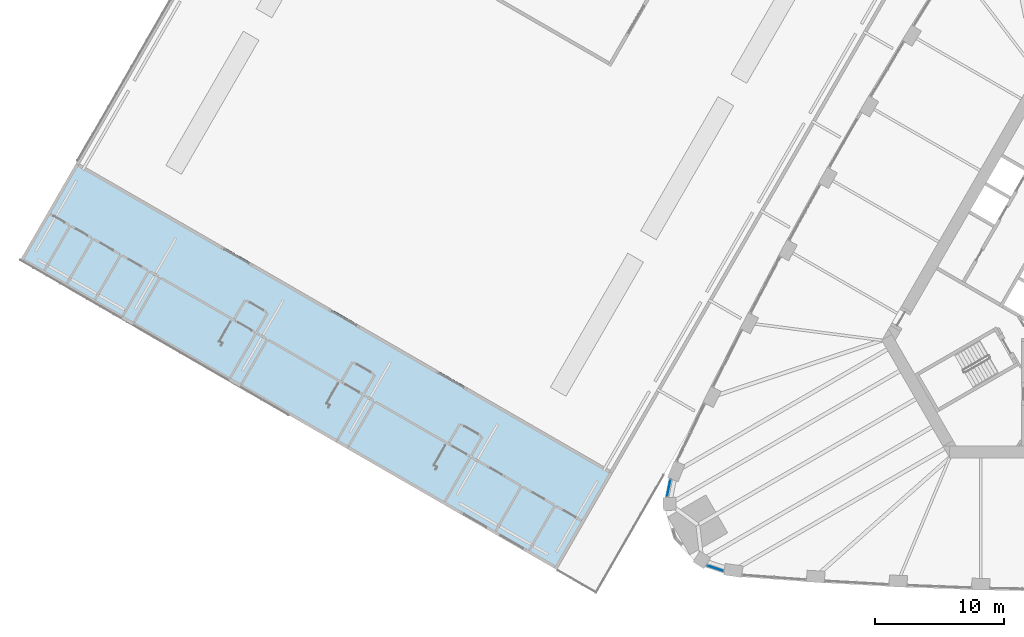
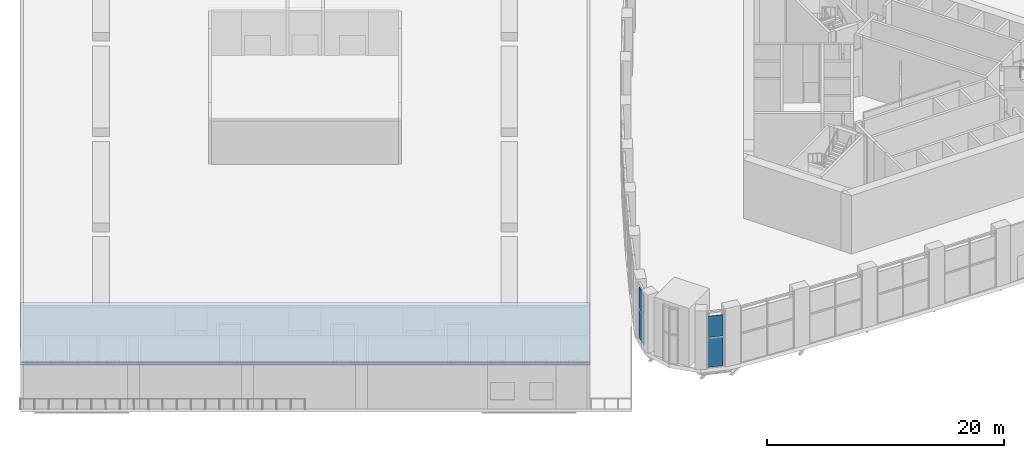
# One storey, part 16 of 41: 4 plates, 1 slab, 1 element without a shape of its own.
"""IFC4 building model written with IfcOpenShell, lengths in metres."""

import ifcopenshell
import ifcopenshell.guid

model = None  # the IFC model being written
_history = None  # IfcOwnerHistory: only IFC2X3 demands one
_inside = {}  # id of a spatial element -> (the spatial element, [elements in it])
_under = {}  # id of a project, library or spatial element -> (it, [spatial elements below it])
_declared = {}  # id of a project -> (the project, [libraries it declares])
_typed = {}  # id of a type object -> (the type object, [elements of that type])
_made_of = {}  # id of a material, layer set ... -> (it, [elements and type objects made of it])


def new_model(schema):
    """Start an empty IFC model of exactly this schema.

    Asked for "IFC4X3", IfcOpenShell would pick the latest addendum, in which some entities
    have other attributes; the version numbers below select the first issue.
    IFC2X3 requires an IfcOwnerHistory on every rooted entity: one is made here for all.
    """
    global model, _history
    if schema == "IFC4X3":
        model = ifcopenshell.file(schema_version=(4, 3, 0, 0))
    else:
        model = ifcopenshell.file(schema=schema)
    _inside.clear()
    _under.clear()
    _declared.clear()
    _typed.clear()
    _made_of.clear()
    _history = None
    if model.schema == "IFC2X3":
        org = make("IfcOrganization", Name="unknown")
        user = make(
            "IfcPersonAndOrganization",
            ThePerson=make("IfcPerson", FamilyName="unknown"),
            TheOrganization=org,
        )
        app = make(
            "IfcApplication",
            ApplicationDeveloper=org,
            Version="unknown",
            ApplicationFullName="unknown",
            ApplicationIdentifier="unknown",
        )
        _history = make(
            "IfcOwnerHistory",
            OwningUser=user,
            OwningApplication=app,
            ChangeAction="ADDED",
            CreationDate=0,
        )
    return model


def make(cls, **values):
    """One entity of the class cls with the attributes given. An attribute that is None is left unset."""
    return model.create_entity(
        cls, **{name: value for name, value in values.items() if value is not None}
    )


def rooted(cls, **values):
    """An entity with a GlobalId (a new one), such as an element, a storey or a relation."""
    return make(cls, GlobalId=ifcopenshell.guid.new(), OwnerHistory=_history, **values)


def si_unit(unit_type, name, prefix=None):
    """IfcSIUnit, for example si_unit("LENGTHUNIT", "METRE", prefix="MILLI")."""
    return make("IfcSIUnit", UnitType=unit_type, Prefix=prefix, Name=name)


def assignment(units):
    """IfcUnitAssignment: the units of a project."""
    return None if units is None else make("IfcUnitAssignment", Units=units)


def point(xyz):
    """IfcCartesianPoint."""
    return None if xyz is None else make("IfcCartesianPoint", Coordinates=xyz)


def direction(xyz):
    """IfcDirection."""
    return None if xyz is None else make("IfcDirection", DirectionRatios=xyz)


def frame(location, z_axis=None, x_axis=None):
    """IfcAxis2Placement3D, a coordinate frame: its origin and axes. An axis left out is left unset."""
    return make(
        "IfcAxis2Placement3D",
        Location=point(location),
        Axis=direction(z_axis),
        RefDirection=direction(x_axis),
    )


def frame_2d(location, x_axis=None):
    """IfcAxis2Placement2D, a coordinate frame in the plane: its origin and x axis."""
    return make(
        "IfcAxis2Placement2D", Location=point(location), RefDirection=direction(x_axis)
    )


def origin():
    """The frame at (0, 0, 0) with its axes left unset."""
    return frame((0.0, 0.0, 0.0))


def origin_2d():
    """The frame at (0, 0) in the plane with its x axis left unset."""
    return frame_2d((0.0, 0.0))


def place(relative_to, where):
    """IfcLocalPlacement: puts the frame where relative to a parent placement (None: the world)."""
    return make(
        "IfcLocalPlacement", PlacementRelTo=relative_to, RelativePlacement=where
    )


def context(
    kind, dimensions, precision=None, world=None, true_north=None, identifier=None
):
    """IfcGeometricRepresentationContext, for example the 3D "Model" context."""
    return make(
        "IfcGeometricRepresentationContext",
        ContextIdentifier=identifier,
        ContextType=kind,
        CoordinateSpaceDimension=dimensions,
        Precision=precision,
        WorldCoordinateSystem=world,
        TrueNorth=true_north,
    )


def subcontext(parent, identifier, kind, view, scale=None):
    """IfcGeometricRepresentationSubContext, for example "Body" below "Model"."""
    return make(
        "IfcGeometricRepresentationSubContext",
        ContextIdentifier=identifier,
        ContextType=kind,
        ParentContext=parent,
        TargetScale=scale,
        TargetView=view,
    )


def project(units=None, contexts=None):
    """IfcProject with its units and contexts."""
    return rooted(
        "IfcProject",
        Name="project",
        RepresentationContexts=contexts,
        UnitsInContext=assignment(units),
    )


def spatial(cls, under=None, at=None, **own):
    """A site, building, storey or space (cls), placed at a placement, below another one or the project."""
    s = rooted(cls, ObjectPlacement=at, **own)
    if under is not None:
        _under.setdefault(under.id(), (under, []))[1].append(s)
    return s


def polyline(points):
    """IfcPolyline through the points."""
    return make("IfcPolyline", Points=[point(p) for p in points])


def profile(cls, at=None, kind="AREA", **sizes):
    """A parametric profile (cls). Its sizes go by their IFC names, for example OverallWidth=200.0."""
    return make(cls, ProfileType=kind, Position=at, **sizes)


def rectangle(**sizes):
    """IfcRectangleProfileDef."""
    return profile("IfcRectangleProfileDef", **sizes)


def outline(outer, holes=None, kind="AREA"):
    """IfcArbitraryClosedProfileDef: a profile drawn as a closed curve; with holes, ...WithVoids."""
    if holes is None:
        return make("IfcArbitraryClosedProfileDef", ProfileType=kind, OuterCurve=outer)
    return make(
        "IfcArbitraryProfileDefWithVoids",
        ProfileType=kind,
        OuterCurve=outer,
        InnerCurves=holes,
    )


def extrude(swept, where, along, depth):
    """IfcExtrudedAreaSolid: the profile swept, set in the frame where, extruded along a direction by depth."""
    return make(
        "IfcExtrudedAreaSolid",
        SweptArea=swept,
        Position=where,
        ExtrudedDirection=direction(along),
        Depth=depth,
    )


def shape(context_of_items, identifier, shape_type, items):
    """IfcShapeRepresentation: the items that make up one representation, for example the "Body"."""
    return make(
        "IfcShapeRepresentation",
        ContextOfItems=context_of_items,
        RepresentationIdentifier=identifier,
        RepresentationType=shape_type,
        Items=items,
    )


def material(Name=None, Category=None):
    """IfcMaterial."""
    return make("IfcMaterial", Name=Name, Category=Category)


def layer(
    of_material, thickness, ventilated=None, Name=None, Category=None, Priority=None
):
    """IfcMaterialLayer: one layer of a wall or slab, of a material (None: an air gap)."""
    return make(
        "IfcMaterialLayer",
        Material=of_material,
        LayerThickness=thickness,
        IsVentilated=ventilated,
        Name=Name,
        Category=Category,
        Priority=Priority,
    )


def layer_set(layers, Name=None):
    """IfcMaterialLayerSet."""
    return make("IfcMaterialLayerSet", MaterialLayers=layers, LayerSetName=Name)


def made_of(thing, what):
    """Note that an element or type object is made of a material, layer set ...; save() writes the relation."""
    if what is not None:
        _made_of.setdefault(what.id(), (what, []))[1].append(thing)
    return thing


def type_object(cls, material=None, **own):
    """A type object (cls), such as IfcWallType, which elements share."""
    return made_of(rooted(cls, **own), material)


def element(
    cls,
    number,
    at=None,
    inside=None,
    cuts=None,
    type_object=None,
    material=None,
    context=None,
    identifier="Body",
    shape_type=None,
    held_by="IfcProductDefinitionShape",
    body=None,
    shapes=None,
    **own,
):
    """One element of the class cls, such as IfcWall. Its Tag is "e" and its number.

    at: its placement. inside: the storey or other place that contains it. cuts: it is an
    opening in that element (IfcRelVoidsElement). A single representation is given by context,
    identifier, shape_type and body (its items); several are given by shapes. held_by: the class
    of the entity that holds the representations. save() writes the other relations.
    """
    e = rooted(cls, Tag="e%d" % number, ObjectPlacement=at, **own)
    if body is not None:
        shapes = [shape(context, identifier, shape_type, body)]
    if shapes is not None:
        e.Representation = make(held_by, Representations=shapes)
    if inside is not None:
        _inside.setdefault(inside.id(), (inside, []))[1].append(e)
    if cuts is not None:
        rooted(
            "IfcRelVoidsElement", RelatingBuildingElement=cuts, RelatedOpeningElement=e
        )
    if type_object is not None:
        _typed.setdefault(type_object.id(), (type_object, []))[1].append(e)
    return made_of(e, material)


def aggregate(whole, parts):
    """IfcRelAggregates: a whole, such as a stair, and the parts it consists of."""
    return rooted("IfcRelAggregates", RelatingObject=whole, RelatedObjects=parts)


def save(model, path):
    """Write the relations noted so far, then the file.

    IfcRelAggregates (storeys below a building ...), IfcRelContainedInSpatialStructure (elements
    in a storey), IfcRelDefinesByType, IfcRelAssociatesMaterial and IfcRelDeclares: one each for
    every whole, place, type object, material and project.
    """
    for whole, parts in _under.values():
        aggregate(whole, parts)
    for where, things in _inside.values():
        rooted(
            "IfcRelContainedInSpatialStructure",
            RelatedElements=things,
            RelatingStructure=where,
        )
    for kind, things in _typed.values():
        rooted("IfcRelDefinesByType", RelatedObjects=things, RelatingType=kind)
    for what, things in _made_of.values():
        rooted("IfcRelAssociatesMaterial", RelatedObjects=things, RelatingMaterial=what)
    for by, libraries in _declared.values():
        rooted("IfcRelDeclares", RelatingContext=by, RelatedDefinitions=libraries)
    model.write(path)


model = new_model("IFC4")

# Units and contexts
model_context = context("Model", 3, precision=1e-05, world=origin(), true_north=direction((0.0, 1.0)))
body_context = subcontext(model_context, "Body", "Model", "MODEL_VIEW")
ifc_project = project(units=[si_unit("LENGTHUNIT", "METRE"), si_unit("AREAUNIT", "SQUARE_METRE"), si_unit("VOLUMEUNIT", "CUBIC_METRE"), si_unit("PLANEANGLEUNIT", "RADIAN"), si_unit("MASSUNIT", "GRAM", prefix="KILO")], contexts=[model_context])

# Site, building, storey
site_placement = place(None, origin())
site = spatial("IfcSite", under=ifc_project, at=site_placement, CompositionType="ELEMENT")
building_placement = place(site_placement, origin())
building = spatial("IfcBuilding", under=site, at=building_placement, Name="Mestral Congress Tower", CompositionType="ELEMENT")
storey_placement = place(building_placement, frame((0.0, 0.0, 21.60009765625)))
storey = spatial("IfcBuildingStorey", under=building, at=storey_placement, Name="L04", CompositionType="ELEMENT", Elevation=21.60009765625)

# Curtain wall, plates
ifc_material_1 = material(Name="Clear low-emissivity double glazing", Category="glass")
curtain_wall_type = type_object("IfcCurtainWallType", Name="Facade arrival lobby curtain wall", PredefinedType="USERDEFINED", material=ifc_material_1)
curtain_wall_placement = place(storey_placement, origin())
curtain_wall = element("IfcCurtainWall", 1, at=curtain_wall_placement, inside=storey, type_object=curtain_wall_type, Name="Facade arrival lobby curtain wall corner 3", ObjectType="CURTAIN WALL", PredefinedType="USERDEFINED")
ifc_layer_1 = layer(ifc_material_1, 0.030029296875)
ifc_layer_set_1 = layer_set([ifc_layer_1], Name="Clear low-emissivity double glazing")
plate_type = type_object("IfcPlateType", Name="Facade arrival lobby curtain wall panel", PredefinedType="CURTAIN_PANEL", material=ifc_layer_set_1)
plate_1_placement = place(storey_placement, frame((-33.7724609375, -15.351318359375, 0.0), z_axis=(0.0, 0.0, 1.0), x_axis=(-0.198078202553, -0.980186219896, 0.0)))
plate_1 = element("IfcPlate", 2, at=plate_1_placement, type_object=plate_type, Name="Arrival lobby glass unit", PredefinedType="CURTAIN_PANEL", context=body_context, shape_type="SweptSolid", body=[
    extrude(rectangle(XDim=1.294921875, YDim=0.030029296875, at=origin_2d()), origin(), (0.0, 0.0, 1.0), 2.929931640625),
])
plate_2_placement = place(storey_placement, frame((-33.914794921875, -15.98291015625, 3.06982421875), z_axis=(-0.980203557571, 0.197982828787, 0.001945566683), x_axis=(0.197983203563, 0.980205412711, 3.6318e-08)))
plate_2 = element("IfcPlate", 3, at=plate_2_placement, type_object=plate_type, Name="Arrival lobby glass unit", PredefinedType="CURTAIN_PANEL", context=body_context, shape_type="SweptSolid", body=[
    extrude(outline(polyline([(0.0, 0.0), (1.2946753171411736, 0.0), (1.2947791799868744, -2.1779825906872277), (-0.0001354451163865672, -2.17798268473633), (0.0, 0.0)])), origin(), (0.0, 0.0, -1.0), 0.030029296875),
])
plate_3_placement = place(storey_placement, frame((-30.180908203125, -21.572021484375, 0.0), z_axis=(0.0, 0.0, 1.0), x_axis=(0.947904712165, -0.318554009007, 0.0)))
plate_3 = element("IfcPlate", 4, at=plate_3_placement, type_object=plate_type, Name="Arrival lobby glass unit", PredefinedType="CURTAIN_PANEL", context=body_context, shape_type="SweptSolid", body=[
    extrude(rectangle(XDim=1.294921875, YDim=0.030029296875, at=origin_2d()), origin(), (0.0, 0.0, 1.0), 2.929931640625),
])
plate_4_placement = place(storey_placement, frame((-29.57177734375, -21.792236328125, 3.06982421875), z_axis=(-0.318658444336, -0.94786745543, 0.002020591571), x_axis=(-0.947869390408, 0.318659094846, 0.0)))
plate_4 = element("IfcPlate", 5, at=plate_4_placement, type_object=plate_type, Name="Arrival lobby glass unit", PredefinedType="CURTAIN_PANEL", context=body_context, shape_type="SweptSolid", body=[
    extrude(outline(polyline([(0.0, 0.0), (1.294793285124369, 1.0842021724855044e-19), (1.2947273642918322, -2.1779829617533912), (-6.592083253672458e-05, -2.1779829617533912), (0.0, 0.0)])), origin(), (0.0, 0.0, -1.0), 0.030029296875),
])
aggregate(curtain_wall, [plate_1, plate_2, plate_3, plate_4])

# Slab
ifc_material_2 = material(Name="Concrete C35/45", Category="concrete")
ifc_layer_2 = layer(ifc_material_2, 0.300048828125)
ifc_layer_set_2 = layer_set([ifc_layer_2], Name="Concrete C35/45")
slab_type = type_object("IfcSlabType", Name="Podium roof slab 300", PredefinedType="ROOF", material=ifc_layer_set_2)
slab_placement = place(storey_placement, frame((0.0, 0.0, 4.5)))
element("IfcSlab", 6, at=slab_placement, inside=storey, type_object=slab_type, Name="Head-house roof", PredefinedType="ROOF", context=body_context, shape_type="SweptSolid", body=[
    extrude(outline(polyline([(-79.6484375, 9.900634765625), (-84.0234375, 2.322998046875), (-42.454345703125, -21.677001953125), (-38.079345703125, -14.099365234375), (-79.6484375, 9.900634765625)])), origin(), (0.0, 0.0, 1.0), 0.2998046875),
])

save(model, "model.ifc")
